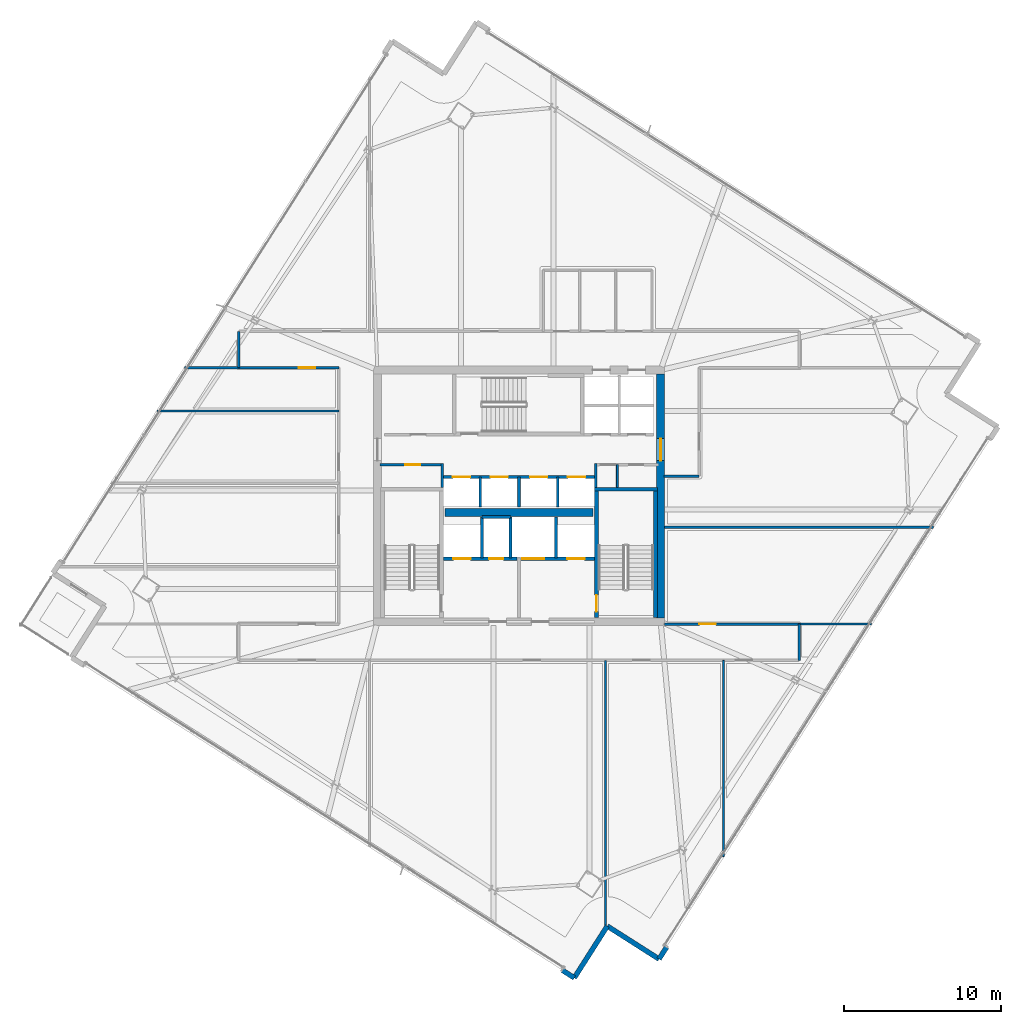
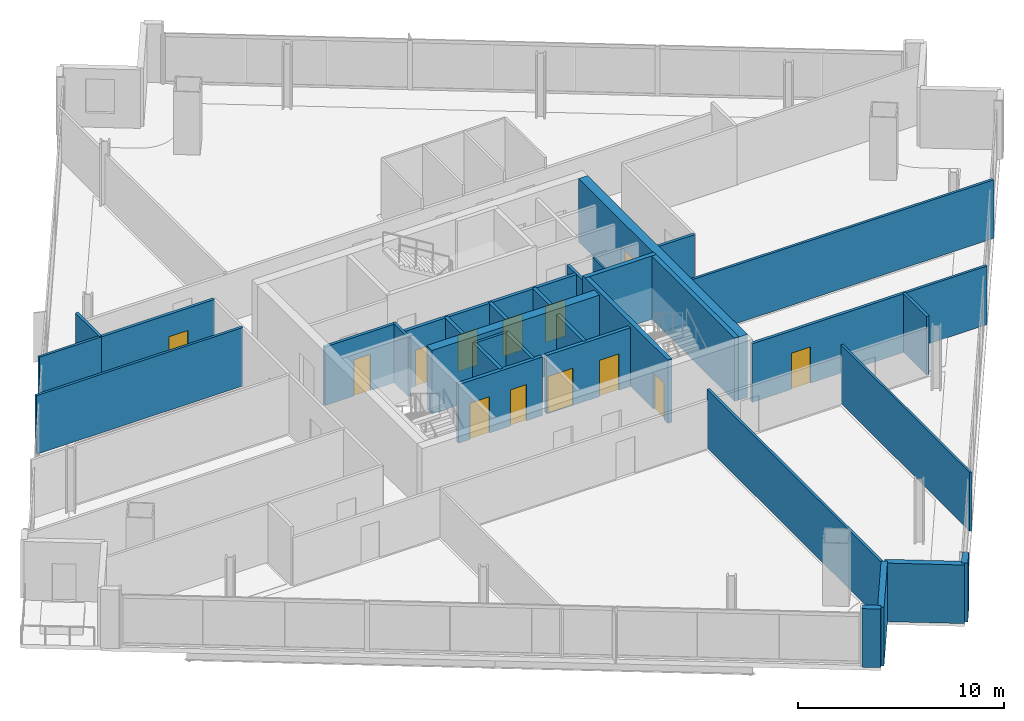
# One storey, part 23 of 30: 34 walls, 13 doors, 13 openings.
"""IFC4 building model written with IfcOpenShell, lengths in metres."""

from ifc_helpers import new_model, si_unit, direction, frame, frame_2d, origin, place, context, subcontext, project, spatial, rectangle, extrude, material, layer, layer_set, type_object, element, fill, save


model = new_model("IFC4")

# Units and contexts
model_context = context("Model", 3, precision=1e-05, world=origin(), true_north=direction((0.0, 1.0)))
body_context = subcontext(model_context, "Body", "Model", "MODEL_VIEW")
ifc_project = project(units=[si_unit("LENGTHUNIT", "METRE"), si_unit("AREAUNIT", "SQUARE_METRE"), si_unit("VOLUMEUNIT", "CUBIC_METRE"), si_unit("PLANEANGLEUNIT", "RADIAN"), si_unit("MASSUNIT", "GRAM", prefix="KILO")], contexts=[model_context])

# Site, building, storey
site_placement = place(None, origin())
site = spatial("IfcSite", under=ifc_project, at=site_placement, CompositionType="ELEMENT")
building_placement = place(site_placement, origin())
building = spatial("IfcBuilding", under=site, at=building_placement, Name="Haldenkirk Collegiate Tower", CompositionType="ELEMENT")
storey_placement = place(building_placement, frame((0.0, 0.0, 220.949951171875)))
storey = spatial("IfcBuildingStorey", under=building, at=storey_placement, Name="L55", CompositionType="ELEMENT", Elevation=220.949951171875)

# Wall, opening, door
ifc_material_1 = material(Name="Concrete f'c 55 MPa", Category="concrete")
ifc_layer_1 = layer(ifc_material_1, 0.5)
ifc_layer_set_1 = layer_set([ifc_layer_1], Name="Concrete f'c 55 MPa")
wall_type_1 = type_object("IfcWallType", Name="WL-CORE-500", PredefinedType="SHEAR", material=ifc_layer_set_1)
wall_1_placement = place(storey_placement, frame((45.0, 18.25, 0.0), z_axis=(0.0, 0.0, 1.0), x_axis=(0.0, 1.0, 0.0)))
wall_1 = element("IfcWall", 1, at=wall_1_placement, inside=storey, type_object=wall_type_1, Name="L55 central core shear wall E", PredefinedType="SHEAR", context=body_context, shape_type="SweptSolid", body=[
    extrude(rectangle(XDim=15.5, YDim=0.5, at=frame_2d((7.75, 0.0))), origin(), (0.0, 0.0, 1.0), 3.75),
])
opening_1_placement = place(wall_1_placement, frame((9.989990234375, 0.0, 0.0)))
opening_1 = element("IfcOpeningElement", 2, at=opening_1_placement, cuts=wall_1, Name="Opening D-03", PredefinedType="OPENING", context=body_context, shape_type="SweptSolid", body=[
    extrude(rectangle(XDim=1.39990234375, YDim=2.199951171875, at=frame_2d((0.699951171875, 1.10009765625))), frame((0.0, 0.260009765625, 0.0), z_axis=(0.0, -1.0, 0.0), x_axis=(1.0, 0.0, 0.0)), (0.0, 0.0, 1.0), 0.52001953125),
])
ifc_material_2 = material(Name="Galvanized fire-rated hollow steel door", Category="steel")
ifc_layer_2 = layer(ifc_material_2, 0.06005859375)
ifc_layer_set_2 = layer_set([ifc_layer_2], Name="Galvanized fire-rated hollow steel door")
door_type_1 = type_object("IfcDoorType", Name="DR-LOBBY-FD90-1400", OperationType="NOTDEFINED", PredefinedType="DOOR", material=ifc_layer_set_2)
door_1_placement = place(opening_1_placement, origin())
door_1 = element("IfcDoor", 3, at=door_1_placement, inside=storey, type_object=door_type_1, Name="L55 east lift lobby portal", OperationType="DOUBLE_DOOR_SINGLE_SWING", OverallHeight=2.199951171875, OverallWidth=1.39990234375, PredefinedType="DOOR", context=body_context, shape_type="SweptSolid", body=[
    extrude(rectangle(XDim=1.39990234375, YDim=2.199951171875, at=frame_2d((0.699951171875, 1.10009765625))), frame((0.0, 0.02490234375, 0.0), z_axis=(0.0, -1.0, 0.0), x_axis=(1.0, 0.0, 0.0)), (0.0, 0.0, 1.0), 0.050048828125),
])
fill(opening_1, door_1)

# Walls
wall_2_placement = place(storey_placement, frame((31.31005859375, 24.949951171875, 0.0), z_axis=(0.0, 0.0, 1.0), x_axis=(1.0, 0.0, 0.0)))
element("IfcWall", 4, at=wall_2_placement, inside=storey, type_object=wall_type_1, Name="L55 central core spine shear wall", PredefinedType="SHEAR", context=body_context, shape_type="SweptSolid", body=[
    extrude(rectangle(XDim=9.3798828125, YDim=0.5, at=frame_2d((4.68994140625, 0.0))), origin(), (0.0, 0.0, 1.0), 3.75),
])
ifc_material_3 = material(Name="Precast concrete f'c 40 MPa", Category="concrete")
ifc_layer_3 = layer(ifc_material_3, 0.320068359375)
ifc_layer_set_3 = layer_set([ifc_layer_3], Name="Precast concrete f'c 40 MPa")
wall_type_2 = type_object("IfcWallType", Name="WL-EXT-TWR-320", PredefinedType="STANDARD", material=ifc_layer_set_3)
for number, where, z_axis, x_axis, name in (
    (5, (45.3828125, -2.683349609375, 0.0), (0.0, 0.0, 1.0), (-0.537366861127, -0.843348597297, 0.0), "L55 precast corner pier SR"),
    (6, (39.5146484375, -4.63623046875, 0.0), (0.0, 0.0, 1.0), (-0.843348597297, 0.537366861127, 0.0), "L55 precast corner pier WL"),
):
    element("IfcWall", number, at=place(storey_placement, frame(where, z_axis=z_axis, x_axis=x_axis)), inside=storey, type_object=wall_type_2, Name=name, PredefinedType="STANDARD", context=body_context, shape_type="SweptSolid", body=[
        extrude(rectangle(XDim=0.89990234375, YDim=0.320068359375, at=frame_2d((0.449951171875, 0.0))), origin(), (0.0, 0.0, 1.0), 3.469970703125),
    ])
wall_3_placement = place(storey_placement, frame((41.610107421875, -1.346923828125, 0.0), z_axis=(0.0, 0.0, 1.0), x_axis=(-0.537288582266, -0.8433984701, 0.0)))
element("IfcWall", 7, at=wall_3_placement, inside=storey, type_object=wall_type_2, Name="L55 bronze precast notch wall 11", PredefinedType="STANDARD", context=body_context, shape_type="SweptSolid", body=[
    extrude(rectangle(XDim=3.900146484375, YDim=0.320068359375, at=frame_2d((1.9501953125, 0.0))), origin(), (0.0, 0.0, 1.0), 3.469970703125),
])
wall_4_placement = place(storey_placement, frame((44.899169921875, -3.4423828125, 0.0), z_axis=(0.0, 0.0, 1.0), x_axis=(-0.843380397605, 0.537316950166, 0.0)))
element("IfcWall", 8, at=wall_4_placement, inside=storey, type_object=wall_type_2, Name="L55 bronze precast notch wall 12", PredefinedType="STANDARD", context=body_context, shape_type="SweptSolid", body=[
    extrude(rectangle(XDim=3.89990234375, YDim=0.320068359375, at=frame_2d((1.949951171875, 0.0))), origin(), (0.0, 0.0, 1.0), 3.469970703125),
])

# Wall, opening, door
ifc_material_4 = material(Name="Acoustic fire-rated gypsum partition", Category="concrete")
ifc_layer_4 = layer(ifc_material_4, 0.159912109375)
ifc_layer_set_4 = layer_set([ifc_layer_4], Name="Acoustic fire-rated gypsum partition")
wall_type_3 = type_object("IfcWallType", Name="WL-INT-CORR-160", PredefinedType="PARTITIONING", material=ifc_layer_set_4)
wall_5_placement = place(storey_placement, frame((27.14990234375, 27.97998046875, 0.0), z_axis=(0.0, 0.0, 1.0), x_axis=(1.0, 0.0, 0.0)))
wall_5 = element("IfcWall", 9, at=wall_5_placement, inside=storey, type_object=wall_type_3, Name="L55 interior partition IW-L55-VCSW-N", PredefinedType="PARTITIONING", context=body_context, shape_type="SweptSolid", body=[
    extrude(rectangle(XDim=4.050048828125, YDim=0.159912109375, at=frame_2d((2.02490234375, 0.0))), origin(), (0.0, 0.0, 1.0), 3.469970703125),
])
opening_2_placement = place(wall_5_placement, frame((1.625, 0.0, 0.0)))
opening_2 = element("IfcOpeningElement", 10, at=opening_2_placement, cuts=wall_5, Name="Opening D-10", PredefinedType="OPENING", context=body_context, shape_type="SweptSolid", body=[
    extrude(rectangle(XDim=0.949951171875, YDim=2.14990234375, at=frame_2d((0.47509765625, 1.074951171875))), frame((0.0, 0.08984375, 0.0), z_axis=(0.0, -1.0, 0.0), x_axis=(1.0, 0.0, 0.0)), (0.0, 0.0, 1.0), 0.179931640625),
])
ifc_material_5 = material(Name="Solid-core architectural oak fire door", Category="wood")
ifc_layer_5 = layer(ifc_material_5, 0.06005859375)
ifc_layer_set_5 = layer_set([ifc_layer_5], Name="Solid-core architectural oak fire door")
door_type_2 = type_object("IfcDoorType", Name="DR-INT-FD60-950", OperationType="NOTDEFINED", PredefinedType="DOOR", material=ifc_layer_set_5)
door_2_placement = place(opening_2_placement, origin())
door_2 = element("IfcDoor", 11, at=door_2_placement, inside=storey, type_object=door_type_2, Name="L55 core tea pantry door", OperationType="SINGLE_SWING_RIGHT", OverallHeight=2.14990234375, OverallWidth=0.949951171875, PredefinedType="DOOR", context=body_context, shape_type="SweptSolid", body=[
    extrude(rectangle(XDim=0.949951171875, YDim=2.14990234375, at=frame_2d((0.47509765625, 1.074951171875))), frame((0.0, 0.02490234375, 0.0), z_axis=(0.0, -1.0, 0.0), x_axis=(1.0, 0.0, 0.0)), (0.0, 0.0, 1.0), 0.050048828125),
])
fill(opening_2, door_2)

# Walls
for number, where, z_axis, x_axis, name in (
    (12, (31.1201171875, 26.5400390625, 0.0), (0.0, 0.0, 1.0), (0.0, 1.0, 0.0), "L55 interior partition IW-L55-VCSW-E"),
    (13, (40.8798828125, 26.5400390625, 0.0), (0.0, 0.0, 1.0), (0.0, 1.0, 0.0), "L55 interior partition IW-L55-VCSE-W"),
):
    element("IfcWall", number, at=place(storey_placement, frame(where, z_axis=z_axis, x_axis=x_axis)), inside=storey, type_object=wall_type_3, Name=name, PredefinedType="PARTITIONING", context=body_context, shape_type="SweptSolid", body=[
        extrude(rectangle(XDim=1.510009765625, YDim=0.159912109375, at=frame_2d((0.7548828125, 0.0))), origin(), (0.0, 0.0, 1.0), 3.469970703125),
    ])

# Wall, opening, door
wall_6_placement = place(storey_placement, frame((45.25, 17.85009765625, 0.0), z_axis=(0.0, 0.0, 1.0), x_axis=(1.0, 0.0, 0.0)))
wall_6 = element("IfcWall", 14, at=wall_6_placement, inside=storey, type_object=wall_type_3, Name="L55 interior partition IW-L55-CSE", PredefinedType="PARTITIONING", context=body_context, shape_type="SweptSolid", body=[
    extrude(rectangle(XDim=8.550048828125, YDim=0.159912109375, at=frame_2d((4.27490234375, 0.0))), origin(), (0.0, 0.0, 1.0), 3.469970703125),
])
opening_3_placement = place(wall_6_placement, frame((2.2109375, 0.0, 0.0)))
opening_3 = element("IfcOpeningElement", 15, at=opening_3_placement, cuts=wall_6, Name="Opening D-09", PredefinedType="OPENING", context=body_context, shape_type="SweptSolid", body=[
    extrude(rectangle(XDim=1.050048828125, YDim=2.14990234375, at=frame_2d((0.52490234375, 1.074951171875))), frame((0.0, 0.08984375, 0.0), z_axis=(0.0, -1.0, 0.0), x_axis=(1.0, 0.0, 0.0)), (0.0, 0.0, 1.0), 0.179931640625),
])
ifc_layer_6 = layer(ifc_material_5, 0.06005859375)
ifc_layer_set_6 = layer_set([ifc_layer_6], Name="Solid-core architectural oak fire door")
door_type_3 = type_object("IfcDoorType", Name="DR-INT-FD60-1050", OperationType="NOTDEFINED", PredefinedType="DOOR", material=ifc_layer_set_6)
door_3_placement = place(opening_3_placement, origin())
door_3 = element("IfcDoor", 16, at=door_3_placement, inside=storey, type_object=door_type_3, Name="L55 Instrument Store Room 11 door", OperationType="SINGLE_SWING_LEFT", OverallHeight=2.14990234375, OverallWidth=1.050048828125, PredefinedType="DOOR", context=body_context, shape_type="SweptSolid", body=[
    extrude(rectangle(XDim=1.050048828125, YDim=2.14990234375, at=frame_2d((0.52490234375, 1.074951171875))), frame((0.0, 0.02490234375, 0.0), z_axis=(0.0, -1.0, 0.0), x_axis=(1.0, 0.0, 0.0)), (0.0, 0.0, 1.0), 0.050048828125),
])
fill(opening_3, door_3)

wall_7_placement = place(storey_placement, frame((18.199951171875, 34.14990234375, 0.0), z_axis=(0.0, 0.0, 1.0), x_axis=(1.0, 0.0, 0.0)))
wall_7 = element("IfcWall", 17, at=wall_7_placement, inside=storey, type_object=wall_type_3, Name="L55 interior partition IW-L55-CNW", PredefinedType="PARTITIONING", context=body_context, shape_type="SweptSolid", body=[
    extrude(rectangle(XDim=6.35009765625, YDim=0.159912109375, at=frame_2d((3.175048828125, 0.0))), origin(), (0.0, 0.0, 1.0), 3.469970703125),
])
opening_4_placement = place(wall_7_placement, frame((3.79296875, 0.0, 0.0)))
opening_4 = element("IfcOpeningElement", 18, at=opening_4_placement, cuts=wall_7, Name="Opening D-09", PredefinedType="OPENING", context=body_context, shape_type="SweptSolid", body=[
    extrude(rectangle(XDim=1.050048828125, YDim=2.14990234375, at=frame_2d((0.52490234375, 1.074951171875))), frame((0.0, 0.08984375, 0.0), z_axis=(0.0, -1.0, 0.0), x_axis=(1.0, 0.0, 0.0)), (0.0, 0.0, 1.0), 0.179931640625),
])
door_4_placement = place(opening_4_placement, origin())
door_4 = element("IfcDoor", 19, at=door_4_placement, inside=storey, type_object=door_type_3, Name="L55 Departmental Archive 10 door", OperationType="SINGLE_SWING_RIGHT", OverallHeight=2.14990234375, OverallWidth=1.050048828125, PredefinedType="DOOR", context=body_context, shape_type="SweptSolid", body=[
    extrude(rectangle(XDim=1.050048828125, YDim=2.14990234375, at=frame_2d((0.52490234375, 1.074951171875))), frame((0.0, 0.02490234375, 0.0), z_axis=(0.0, -1.0, 0.0), x_axis=(1.0, 0.0, 0.0)), (0.0, 0.0, 1.0), 0.050048828125),
])
fill(opening_4, door_4)

# Walls
wall_8_placement = place(storey_placement, frame((45.199951171875, 27.25, 0.0), z_axis=(0.0, 0.0, 1.0), x_axis=(1.0, 0.0, 0.0)))
element("IfcWall", 20, at=wall_8_placement, inside=storey, type_object=wall_type_3, Name="L55 interior partition IW-L55-CES", PredefinedType="PARTITIONING", context=body_context, shape_type="SweptSolid", body=[
    extrude(rectangle(XDim=2.25, YDim=0.159912109375, at=frame_2d((1.125, 0.0))), origin(), (0.0, 0.0, 1.0), 3.469970703125),
])
for number, where, z_axis, x_axis, name in (
    (21, (53.800048828125, 15.550048828125, 0.0), (0.0, 0.0, 1.0), (0.0, 1.0, 0.0), "L55 interior partition IW-L55-CSR"),
    (22, (18.199951171875, 34.14990234375, 0.0), (0.0, 0.0, 1.0), (0.0, 1.0, 0.0), "L55 interior partition IW-L55-CNL"),
):
    element("IfcWall", number, at=place(storey_placement, frame(where, z_axis=z_axis, x_axis=x_axis)), inside=storey, type_object=wall_type_3, Name=name, PredefinedType="PARTITIONING", context=body_context, shape_type="SweptSolid", body=[
        extrude(rectangle(XDim=2.300048828125, YDim=0.159912109375, at=frame_2d((1.14990234375, 0.0))), origin(), (0.0, 0.0, 1.0), 3.469970703125),
    ])
ifc_layer_7 = layer(ifc_material_4, 0.139892578125)
ifc_layer_set_7 = layer_set([ifc_layer_7], Name="Acoustic fire-rated gypsum partition")
wall_type_4 = type_object("IfcWallType", Name="WL-INT-DIV-140", PredefinedType="PARTITIONING", material=ifc_layer_set_7)
wall_9_placement = place(storey_placement, frame((14.739501953125, 34.14990234375, 0.0), z_axis=(0.0, 0.0, 1.0), x_axis=(1.0, 0.0, 0.0)))
element("IfcWall", 23, at=wall_9_placement, inside=storey, type_object=wall_type_4, Name="L55 interior partition IW-L55-BWN", PredefinedType="PARTITIONING", context=body_context, shape_type="SweptSolid", body=[
    extrude(rectangle(XDim=3.46044921875, YDim=0.139892578125, at=frame_2d((1.730224609375, 0.0))), origin(), (0.0, 0.0, 1.0), 3.469970703125),
])
wall_10_placement = place(storey_placement, frame((53.800048828125, 17.85009765625, 0.0), z_axis=(0.0, 0.0, 1.0), x_axis=(1.0, 0.0, 0.0)))
element("IfcWall", 24, at=wall_10_placement, inside=storey, type_object=wall_type_4, Name="L55 interior partition IW-L55-BES", PredefinedType="PARTITIONING", context=body_context, shape_type="SweptSolid", body=[
    extrude(rectangle(XDim=4.616455078125, YDim=0.139892578125, at=frame_2d((2.30810546875, 0.0))), origin(), (0.0, 0.0, 1.0), 3.469970703125),
])
wall_11_placement = place(storey_placement, frame((41.5, -1.4453125, 0.0), z_axis=(0.0, 0.0, 1.0), x_axis=(0.0, 1.0, 0.0)))
element("IfcWall", 25, at=wall_11_placement, inside=storey, type_object=wall_type_4, Name="L55 interior partition IW-L55-RS2", PredefinedType="PARTITIONING", context=body_context, shape_type="SweptSolid", body=[
    extrude(rectangle(XDim=16.995361328125, YDim=0.139892578125, at=frame_2d((8.49755859375, 0.0))), origin(), (0.0, 0.0, 1.0), 3.469970703125),
])
wall_12_placement = place(storey_placement, frame((12.987548828125, 31.39990234375, 0.0), z_axis=(0.0, 0.0, 1.0), x_axis=(1.0, 0.0, 0.0)))
element("IfcWall", 26, at=wall_12_placement, inside=storey, type_object=wall_type_4, Name="L55 interior partition IW-L55-RW3", PredefinedType="PARTITIONING", context=body_context, shape_type="SweptSolid", body=[
    extrude(rectangle(XDim=11.5625, YDim=0.139892578125, at=frame_2d((5.78125, 0.0))), origin(), (0.0, 0.0, 1.0), 3.469970703125),
])
wall_13_placement = place(storey_placement, frame((45.25, 24.0, 0.0), z_axis=(0.0, 0.0, 1.0), x_axis=(1.0, 0.0, 0.0)))
element("IfcWall", 27, at=wall_13_placement, inside=storey, type_object=wall_type_4, Name="L55 interior partition IW-L55-RE1", PredefinedType="PARTITIONING", context=body_context, shape_type="SweptSolid", body=[
    extrude(rectangle(XDim=17.084716796875, YDim=0.139892578125, at=frame_2d((8.54248046875, 0.0))), origin(), (0.0, 0.0, 1.0), 3.469970703125),
])
ifc_material_6 = material(Name="Fire-rated gypsum shaftboard assembly", Category="concrete")
ifc_layer_8 = layer(ifc_material_6, 0.179931640625)
ifc_layer_set_8 = layer_set([ifc_layer_8], Name="Fire-rated gypsum shaftboard assembly")
wall_type_5 = type_object("IfcWallType", Name="WL-INT-SHAFT-180", PredefinedType="PARTITIONING", material=ifc_layer_set_8)
for number, where, z_axis, x_axis, name in (
    (28, (33.64990234375, 22.050048828125, 0.0), (0.0, 0.0, 1.0), (0.0, 1.0, 0.0), "L55 interior partition IW-L55-FL1E"),
    (29, (35.449951171875, 22.050048828125, 0.0), (0.0, 0.0, 1.0), (0.0, 1.0, 0.0), "L55 interior partition IW-L55-GL1W"),
):
    element("IfcWall", number, at=place(storey_placement, frame(where, z_axis=z_axis, x_axis=x_axis)), inside=storey, type_object=wall_type_5, Name=name, PredefinedType="PARTITIONING", context=body_context, shape_type="SweptSolid", body=[
        extrude(rectangle(XDim=2.599853515625, YDim=0.179931640625, at=frame_2d((1.2998046875, 0.0))), origin(), (0.0, 0.0, 1.0), 3.469970703125),
    ])
wall_14_placement = place(storey_placement, frame((33.64990234375, 24.64990234375, 0.0), z_axis=(0.0, 0.0, 1.0), x_axis=(1.0, 0.0, 0.0)))
element("IfcWall", 30, at=wall_14_placement, inside=storey, type_object=wall_type_5, Name="L55 interior partition IW-L55-RSRN", PredefinedType="PARTITIONING", context=body_context, shape_type="SweptSolid", body=[
    extrude(rectangle(XDim=1.800048828125, YDim=0.179931640625, at=frame_2d((0.89990234375, 0.0))), origin(), (0.0, 0.0, 1.0), 3.469970703125),
])
wall_15_placement = place(storey_placement, frame((38.35009765625, 22.050048828125, 0.0), z_axis=(0.0, 0.0, 1.0), x_axis=(0.0, 1.0, 0.0)))
element("IfcWall", 31, at=wall_15_placement, inside=storey, type_object=wall_type_5, Name="L55 interior partition IW-L55-GL1E", PredefinedType="PARTITIONING", context=body_context, shape_type="SweptSolid", body=[
    extrude(rectangle(XDim=2.599853515625, YDim=0.179931640625, at=frame_2d((1.2998046875, 0.0))), origin(), (0.0, 0.0, 1.0), 3.469970703125),
])

# Wall, openings, doors
wall_16_placement = place(storey_placement, frame((31.199951171875, 27.199951171875, 0.0), z_axis=(0.0, 0.0, 1.0), x_axis=(1.0, 0.0, 0.0)))
wall_16 = element("IfcWall", 32, at=wall_16_placement, inside=storey, type_object=wall_type_5, Name="L55 interior partition IW-L55-PHN", PredefinedType="PARTITIONING", context=body_context, shape_type="SweptSolid", body=[
    extrude(rectangle(XDim=9.60009765625, YDim=0.179931640625, at=frame_2d((4.800048828125, 0.0))), origin(), (0.0, 0.0, 1.0), 3.469970703125),
])
opening_5_placement = place(wall_16_placement, frame((0.590087890625, 0.0, 0.0)))
opening_5 = element("IfcOpeningElement", 33, at=opening_5_placement, cuts=wall_16, Name="Opening LD-11", PredefinedType="OPENING", context=body_context, shape_type="SweptSolid", body=[
    extrude(rectangle(XDim=1.10009765625, YDim=2.14990234375, at=frame_2d((0.550048828125, 1.074951171875))), frame((0.0, 0.099853515625, 0.0), z_axis=(0.0, -1.0, 0.0), x_axis=(1.0, 0.0, 0.0)), (0.0, 0.0, 1.0), 0.199951171875),
])
opening_6_placement = place(wall_16_placement, frame((2.989990234375, 0.0, 0.0)))
opening_6 = element("IfcOpeningElement", 34, at=opening_6_placement, cuts=wall_16, Name="Opening LD-11", PredefinedType="OPENING", context=body_context, shape_type="SweptSolid", body=[
    extrude(rectangle(XDim=1.10009765625, YDim=2.14990234375, at=frame_2d((0.550048828125, 1.074951171875))), frame((0.0, 0.099853515625, 0.0), z_axis=(0.0, -1.0, 0.0), x_axis=(1.0, 0.0, 0.0)), (0.0, 0.0, 1.0), 0.199951171875),
])
opening_7_placement = place(wall_16_placement, frame((5.510009765625, 0.0, 0.0)))
opening_7 = element("IfcOpeningElement", 35, at=opening_7_placement, cuts=wall_16, Name="Opening LD-11", PredefinedType="OPENING", context=body_context, shape_type="SweptSolid", body=[
    extrude(rectangle(XDim=1.10009765625, YDim=2.14990234375, at=frame_2d((0.550048828125, 1.074951171875))), frame((0.0, 0.099853515625, 0.0), z_axis=(0.0, -1.0, 0.0), x_axis=(1.0, 0.0, 0.0)), (0.0, 0.0, 1.0), 0.199951171875),
])
opening_8_placement = place(wall_16_placement, frame((7.909912109375, 0.0, 0.0)))
opening_8 = element("IfcOpeningElement", 36, at=opening_8_placement, cuts=wall_16, Name="Opening LD-11", PredefinedType="OPENING", context=body_context, shape_type="SweptSolid", body=[
    extrude(rectangle(XDim=1.10009765625, YDim=2.14990234375, at=frame_2d((0.550048828125, 1.074951171875))), frame((0.0, 0.099853515625, 0.0), z_axis=(0.0, -1.0, 0.0), x_axis=(1.0, 0.0, 0.0)), (0.0, 0.0, 1.0), 0.199951171875),
])
ifc_material_7 = material(Name="Brushed architectural stainless steel", Category="steel")
ifc_layer_9 = layer(ifc_material_7, 0.06005859375)
ifc_layer_set_9 = layer_set([ifc_layer_9], Name="Brushed architectural stainless steel")
door_type_4 = type_object("IfcDoorType", Name="LD-PASS-1100", OperationType="NOTDEFINED", PredefinedType="DOOR", material=ifc_layer_set_9)
door_5_placement = place(opening_5_placement, origin())
door_5 = element("IfcDoor", 37, at=door_5_placement, inside=storey, type_object=door_type_4, Name="L55 Elevator PH1 sliding landing door", OperationType="SLIDING_TO_LEFT", OverallHeight=2.14990234375, OverallWidth=1.10009765625, PredefinedType="DOOR", context=body_context, shape_type="SweptSolid", body=[
    extrude(rectangle(XDim=1.10009765625, YDim=2.14990234375, at=frame_2d((0.550048828125, 1.074951171875))), frame((0.0, 0.02490234375, 0.0), z_axis=(0.0, -1.0, 0.0), x_axis=(1.0, 0.0, 0.0)), (0.0, 0.0, 1.0), 0.050048828125),
])
fill(opening_5, door_5)
door_6_placement = place(opening_6_placement, origin())
door_6 = element("IfcDoor", 38, at=door_6_placement, inside=storey, type_object=door_type_4, Name="L55 Elevator PH2 sliding landing door", OperationType="SLIDING_TO_LEFT", OverallHeight=2.14990234375, OverallWidth=1.10009765625, PredefinedType="DOOR", context=body_context, shape_type="SweptSolid", body=[
    extrude(rectangle(XDim=1.10009765625, YDim=2.14990234375, at=frame_2d((0.550048828125, 1.074951171875))), frame((0.0, 0.02490234375, 0.0), z_axis=(0.0, -1.0, 0.0), x_axis=(1.0, 0.0, 0.0)), (0.0, 0.0, 1.0), 0.050048828125),
])
fill(opening_6, door_6)
door_7_placement = place(opening_7_placement, origin())
door_7 = element("IfcDoor", 39, at=door_7_placement, inside=storey, type_object=door_type_4, Name="L55 Elevator PH3 sliding landing door", OperationType="SLIDING_TO_LEFT", OverallHeight=2.14990234375, OverallWidth=1.10009765625, PredefinedType="DOOR", context=body_context, shape_type="SweptSolid", body=[
    extrude(rectangle(XDim=1.10009765625, YDim=2.14990234375, at=frame_2d((0.550048828125, 1.074951171875))), frame((0.0, 0.02490234375, 0.0), z_axis=(0.0, -1.0, 0.0), x_axis=(1.0, 0.0, 0.0)), (0.0, 0.0, 1.0), 0.050048828125),
])
fill(opening_7, door_7)
door_8_placement = place(opening_8_placement, origin())
door_8 = element("IfcDoor", 40, at=door_8_placement, inside=storey, type_object=door_type_4, Name="L55 Elevator PH4 sliding landing door", OperationType="SLIDING_TO_LEFT", OverallHeight=2.14990234375, OverallWidth=1.10009765625, PredefinedType="DOOR", context=body_context, shape_type="SweptSolid", body=[
    extrude(rectangle(XDim=1.10009765625, YDim=2.14990234375, at=frame_2d((0.550048828125, 1.074951171875))), frame((0.0, 0.02490234375, 0.0), z_axis=(0.0, -1.0, 0.0), x_axis=(1.0, 0.0, 0.0)), (0.0, 0.0, 1.0), 0.050048828125),
])
fill(opening_8, door_8)

# Walls
for number, where, z_axis, x_axis, name in (
    (41, (33.5400390625, 25.300048828125, 0.0), (0.0, 0.0, 1.0), (0.0, 1.0, 0.0), "L55 interior partition IW-L55-PHV1"),
    (42, (36.0, 25.300048828125, 0.0), (0.0, 0.0, 1.0), (0.0, 1.0, 0.0), "L55 interior partition IW-L55-PHV2"),
    (43, (38.4599609375, 25.300048828125, 0.0), (0.0, 0.0, 1.0), (0.0, 1.0, 0.0), "L55 interior partition IW-L55-PHV3"),
):
    element("IfcWall", number, at=place(storey_placement, frame(where, z_axis=z_axis, x_axis=x_axis)), inside=storey, type_object=wall_type_5, Name=name, PredefinedType="PARTITIONING", context=body_context, shape_type="SweptSolid", body=[
        extrude(rectangle(XDim=1.89990234375, YDim=0.179931640625, at=frame_2d((0.949951171875, 0.0))), origin(), (0.0, 0.0, 1.0), 3.469970703125),
    ])

# Wall, openings, doors
ifc_layer_10 = layer(ifc_material_6, 0.199951171875)
ifc_layer_set_10 = layer_set([ifc_layer_10], Name="Fire-rated gypsum shaftboard assembly")
wall_type_6 = type_object("IfcWallType", Name="WL-INT-SHAFT-200", PredefinedType="PARTITIONING", material=ifc_layer_set_10)
wall_17_placement = place(storey_placement, frame((31.18994140625, 22.0, 0.0), z_axis=(0.0, 0.0, 1.0), x_axis=(1.0, 0.0, 0.0)))
wall_17 = element("IfcWall", 44, at=wall_17_placement, inside=storey, type_object=wall_type_6, Name="L55 interior partition IW-L55-FFL1N", PredefinedType="PARTITIONING", context=body_context, shape_type="SweptSolid", body=[
    extrude(rectangle(XDim=4.68994140625, YDim=0.199951171875, at=frame_2d((2.344970703125, 0.0))), origin(), (0.0, 0.0, 1.0), 3.469970703125),
])
opening_9_placement = place(wall_17_placement, frame((2.909912109375, 0.0, 0.0)))
opening_9 = element("IfcOpeningElement", 45, at=opening_9_placement, cuts=wall_17, Name="Opening D-06", PredefinedType="OPENING", context=body_context, shape_type="SweptSolid", body=[
    extrude(rectangle(XDim=0.89990234375, YDim=2.14990234375, at=frame_2d((0.449951171875, 1.074951171875))), frame((0.0, 0.10986328125, 0.0), z_axis=(0.0, -1.0, 0.0), x_axis=(1.0, 0.0, 0.0)), (0.0, 0.0, 1.0), 0.219970703125),
])
opening_10_placement = place(wall_17_placement, frame((0.635009765625, 0.0, 0.0)))
opening_10 = element("IfcOpeningElement", 46, at=opening_10_placement, cuts=wall_17, Name="Opening LD-12", PredefinedType="OPENING", context=body_context, shape_type="SweptSolid", body=[
    extrude(rectangle(XDim=1.10009765625, YDim=2.14990234375, at=frame_2d((0.550048828125, 1.074951171875))), frame((0.0, 0.10986328125, 0.0), z_axis=(0.0, -1.0, 0.0), x_axis=(1.0, 0.0, 0.0)), (0.0, 0.0, 1.0), 0.219970703125),
])
ifc_layer_11 = layer(ifc_material_2, 0.06005859375)
ifc_layer_set_11 = layer_set([ifc_layer_11], Name="Galvanized fire-rated hollow steel door")
door_type_5 = type_object("IfcDoorType", Name="DR-INT-FD90-900", OperationType="NOTDEFINED", PredefinedType="DOOR", material=ifc_layer_set_11)
door_9_placement = place(opening_9_placement, origin())
door_9 = element("IfcDoor", 47, at=door_9_placement, inside=storey, type_object=door_type_5, Name="L55 electrical riser door", OperationType="SINGLE_SWING_LEFT", OverallHeight=2.14990234375, OverallWidth=0.89990234375, PredefinedType="DOOR", context=body_context, shape_type="SweptSolid", body=[
    extrude(rectangle(XDim=0.89990234375, YDim=2.14990234375, at=frame_2d((0.449951171875, 1.074951171875))), frame((0.0, 0.02490234375, 0.0), z_axis=(0.0, -1.0, 0.0), x_axis=(1.0, 0.0, 0.0)), (0.0, 0.0, 1.0), 0.050048828125),
])
fill(opening_9, door_9)
ifc_layer_12 = layer(ifc_material_7, 0.06005859375)
ifc_layer_set_12 = layer_set([ifc_layer_12], Name="Brushed architectural stainless steel")
door_type_6 = type_object("IfcDoorType", Name="LD-FIRE-1100", OperationType="NOTDEFINED", PredefinedType="DOOR", material=ifc_layer_set_12)
door_10_placement = place(opening_10_placement, origin())
door_10 = element("IfcDoor", 48, at=door_10_placement, inside=storey, type_object=door_type_6, Name="L55 Elevator FL1 sliding landing door", OperationType="SLIDING_TO_LEFT", OverallHeight=2.14990234375, OverallWidth=1.10009765625, PredefinedType="DOOR", context=body_context, shape_type="SweptSolid", body=[
    extrude(rectangle(XDim=1.10009765625, YDim=2.14990234375, at=frame_2d((0.550048828125, 1.074951171875))), frame((0.0, 0.02490234375, 0.0), z_axis=(0.0, -1.0, 0.0), x_axis=(1.0, 0.0, 0.0)), (0.0, 0.0, 1.0), 0.050048828125),
])
fill(opening_10, door_10)

wall_18_placement = place(storey_placement, frame((36.1201171875, 22.0, 0.0), z_axis=(0.0, 0.0, 1.0), x_axis=(1.0, 0.0, 0.0)))
wall_18 = element("IfcWall", 49, at=wall_18_placement, inside=storey, type_object=wall_type_6, Name="L55 interior partition IW-L55-FFL2N", PredefinedType="PARTITIONING", context=body_context, shape_type="SweptSolid", body=[
    extrude(rectangle(XDim=4.68994140625, YDim=0.199951171875, at=frame_2d((2.344970703125, 0.0))), origin(), (0.0, 0.0, 1.0), 3.469970703125),
])
opening_11_placement = place(wall_18_placement, frame((2.955078125, 0.0, 0.0)))
opening_11 = element("IfcOpeningElement", 50, at=opening_11_placement, cuts=wall_18, Name="Opening LD-12", PredefinedType="OPENING", context=body_context, shape_type="SweptSolid", body=[
    extrude(rectangle(XDim=1.10009765625, YDim=2.14990234375, at=frame_2d((0.550048828125, 1.074951171875))), frame((0.0, 0.10986328125, 0.0), z_axis=(0.0, -1.0, 0.0), x_axis=(1.0, 0.0, 0.0)), (0.0, 0.0, 1.0), 0.219970703125),
])
opening_12_placement = place(wall_18_placement, frame((0.080078125, 0.0, 0.0)))
opening_12 = element("IfcOpeningElement", 51, at=opening_12_placement, cuts=wall_18, Name="Opening LD-13", PredefinedType="OPENING", context=body_context, shape_type="SweptSolid", body=[
    extrude(rectangle(XDim=1.39990234375, YDim=2.199951171875, at=frame_2d((0.699951171875, 1.10009765625))), frame((0.0, 0.10986328125, 0.0), z_axis=(0.0, -1.0, 0.0), x_axis=(1.0, 0.0, 0.0)), (0.0, 0.0, 1.0), 0.219970703125),
])
door_11_placement = place(opening_11_placement, origin())
door_11 = element("IfcDoor", 52, at=door_11_placement, inside=storey, type_object=door_type_6, Name="L55 Elevator FL2 sliding landing door", OperationType="SLIDING_TO_LEFT", OverallHeight=2.14990234375, OverallWidth=1.10009765625, PredefinedType="DOOR", context=body_context, shape_type="SweptSolid", body=[
    extrude(rectangle(XDim=1.10009765625, YDim=2.14990234375, at=frame_2d((0.550048828125, 1.074951171875))), frame((0.0, 0.02490234375, 0.0), z_axis=(0.0, -1.0, 0.0), x_axis=(1.0, 0.0, 0.0)), (0.0, 0.0, 1.0), 0.050048828125),
])
fill(opening_11, door_11)
ifc_layer_13 = layer(ifc_material_7, 0.06005859375)
ifc_layer_set_13 = layer_set([ifc_layer_13], Name="Brushed architectural stainless steel")
door_type_7 = type_object("IfcDoorType", Name="LD-GOODS-1400", OperationType="NOTDEFINED", PredefinedType="DOOR", material=ifc_layer_set_13)
door_12_placement = place(opening_12_placement, origin())
door_12 = element("IfcDoor", 53, at=door_12_placement, inside=storey, type_object=door_type_7, Name="L55 Elevator GL1 sliding landing door", OperationType="SLIDING_TO_LEFT", OverallHeight=2.199951171875, OverallWidth=1.39990234375, PredefinedType="DOOR", context=body_context, shape_type="SweptSolid", body=[
    extrude(rectangle(XDim=1.39990234375, YDim=2.199951171875, at=frame_2d((0.699951171875, 1.10009765625))), frame((0.0, 0.02490234375, 0.0), z_axis=(0.0, -1.0, 0.0), x_axis=(1.0, 0.0, 0.0)), (0.0, 0.0, 1.0), 0.050048828125),
])
fill(opening_12, door_12)

# Walls
ifc_layer_14 = layer(ifc_material_4, 0.1201171875)
ifc_layer_set_14 = layer_set([ifc_layer_14], Name="Acoustic fire-rated gypsum partition")
wall_type_7 = type_object("IfcWallType", Name="WL-INT-WET-120", PredefinedType="PARTITIONING", material=ifc_layer_set_14)
wall_19_placement = place(storey_placement, frame((42.25, 26.5400390625, 0.0), z_axis=(0.0, 0.0, 1.0), x_axis=(0.0, 1.0, 0.0)))
element("IfcWall", 54, at=wall_19_placement, inside=storey, type_object=wall_type_7, Name="L55 interior partition IW-L55-VCSE-M", PredefinedType="PARTITIONING", context=body_context, shape_type="SweptSolid", body=[
    extrude(rectangle(XDim=1.43994140625, YDim=0.1201171875, at=frame_2d((0.719970703125, 0.0))), origin(), (0.0, 0.0, 1.0), 3.469970703125),
])
wall_20_placement = place(storey_placement, frame((49.0, 3.06884765625, 0.0), z_axis=(0.0, 0.0, 1.0), x_axis=(0.0, 1.0, 0.0)))
element("IfcWall", 55, at=wall_20_placement, inside=storey, type_object=wall_type_7, Name="L55 interior partition IW-L55-RS3", PredefinedType="PARTITIONING", context=body_context, shape_type="SweptSolid", body=[
    extrude(rectangle(XDim=12.481201171875, YDim=0.1201171875, at=frame_2d((6.24072265625, 0.0))), origin(), (0.0, 0.0, 1.0), 3.469970703125),
])

# Wall, opening, door
ifc_layer_15 = layer(ifc_material_1, 0.239990234375)
ifc_layer_set_15 = layer_set([ifc_layer_15], Name="Concrete f'c 55 MPa")
wall_type_8 = type_object("IfcWallType", Name="WL-SHAFT-240", PredefinedType="SHEAR", material=ifc_layer_set_15)
wall_21_placement = place(storey_placement, frame((40.929931640625, 18.280029296875, 0.0), z_axis=(0.0, 0.0, 1.0), x_axis=(0.0, 1.0, 0.0)))
wall_21 = element("IfcWall", 56, at=wall_21_placement, inside=storey, type_object=wall_type_8, Name="L55 stair shaft shear wall SW-L55-ST2W", PredefinedType="SHEAR", context=body_context, shape_type="SweptSolid", body=[
    extrude(rectangle(XDim=8.260009765625, YDim=0.239990234375, at=frame_2d((4.1298828125, 0.0))), origin(), (0.0, 0.0, 1.0), 3.75),
])
opening_13_placement = place(wall_21_placement, frame((0.364990234375, 0.0, 0.0)))
opening_13 = element("IfcOpeningElement", 57, at=opening_13_placement, cuts=wall_21, Name="Opening D-01", PredefinedType="OPENING", context=body_context, shape_type="SweptSolid", body=[
    extrude(rectangle(XDim=1.050048828125, YDim=2.14990234375, at=frame_2d((0.52490234375, 1.074951171875))), frame((0.0, 0.1298828125, 0.0), z_axis=(0.0, -1.0, 0.0), x_axis=(1.0, 0.0, 0.0)), (0.0, 0.0, 1.0), 0.260009765625),
])
ifc_layer_16 = layer(ifc_material_2, 0.06005859375)
ifc_layer_set_16 = layer_set([ifc_layer_16], Name="Galvanized fire-rated hollow steel door")
door_type_8 = type_object("IfcDoorType", Name="DR-STAIR-FD90-1050", OperationType="NOTDEFINED", PredefinedType="DOOR", material=ifc_layer_set_16)
door_13_placement = place(opening_13_placement, origin())
door_13 = element("IfcDoor", 58, at=door_13_placement, inside=storey, type_object=door_type_8, Name="L55 Stair 2 door", OperationType="SINGLE_SWING_RIGHT", OverallHeight=2.14990234375, OverallWidth=1.050048828125, PredefinedType="DOOR", context=body_context, shape_type="SweptSolid", body=[
    extrude(rectangle(XDim=1.050048828125, YDim=2.14990234375, at=frame_2d((0.52490234375, 1.074951171875))), frame((0.0, 0.02490234375, 0.0), z_axis=(0.0, -1.0, 0.0), x_axis=(1.0, 0.0, 0.0)), (0.0, 0.0, 1.0), 0.050048828125),
])
fill(opening_13, door_13)

# Walls
wall_22_placement = place(storey_placement, frame((40.81005859375, 26.419921875, 0.0), z_axis=(0.0, 0.0, 1.0), x_axis=(1.0, 0.0, 0.0)))
element("IfcWall", 59, at=wall_22_placement, inside=storey, type_object=wall_type_8, Name="L55 stair shaft shear wall SW-L55-ST2N", PredefinedType="SHEAR", context=body_context, shape_type="SweptSolid", body=[
    extrude(rectangle(XDim=3.97998046875, YDim=0.239990234375, at=frame_2d((1.989990234375, 0.0))), origin(), (0.0, 0.0, 1.0), 3.75),
])
wall_23_placement = place(storey_placement, frame((44.669921875, 18.280029296875, 0.0), z_axis=(0.0, 0.0, 1.0), x_axis=(0.0, 1.0, 0.0)))
element("IfcWall", 60, at=wall_23_placement, inside=storey, type_object=wall_type_8, Name="L55 stair shaft shear wall SW-L55-ST2E", PredefinedType="SHEAR", context=body_context, shape_type="SweptSolid", body=[
    extrude(rectangle(XDim=8.260009765625, YDim=0.239990234375, at=frame_2d((4.1298828125, 0.0))), origin(), (0.0, 0.0, 1.0), 3.75),
])

save(model, "model.ifc")
